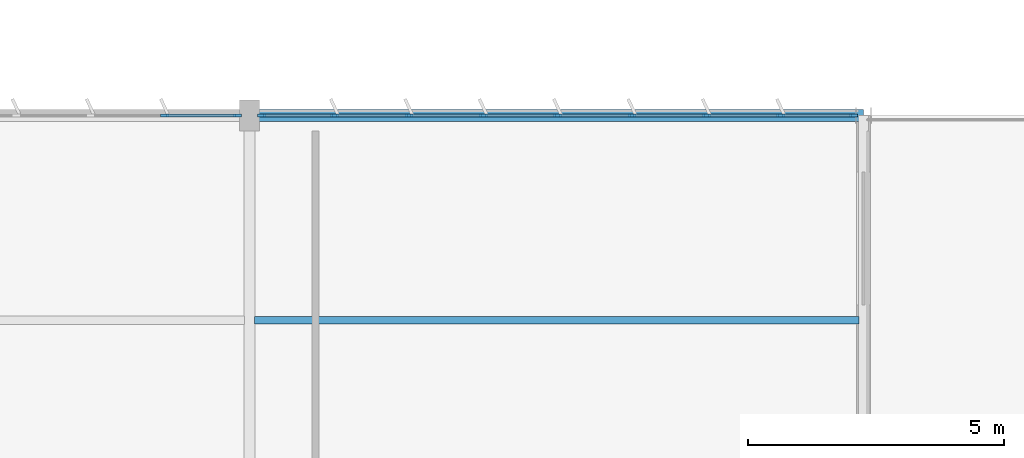
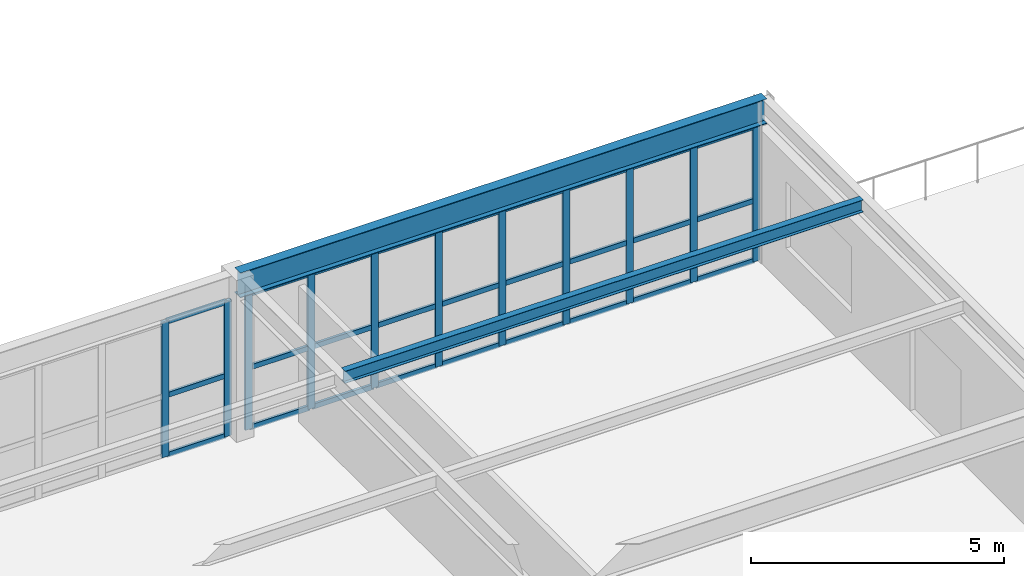
# One storey, part 60 of 128: 38 members, 2 beams, 2 elements without a shape of their own.
"""IFC4 building model written with IfcOpenShell, lengths in metres."""

from ifc_helpers import new_model, si_unit, direction, frame, origin, origin_2d, place, context, subcontext, project, spatial, rectangle, i_section, extrude, material, layer, layer_set, material_profile, profile_set, type_object, element, aggregate, save


model = new_model("IFC4")

# Units and contexts
model_context = context("Model", 3, precision=1e-05, world=origin(), true_north=direction((0.0, 1.0)))
body_context = subcontext(model_context, "Body", "Model", "MODEL_VIEW")
ifc_project = project(units=[si_unit("LENGTHUNIT", "METRE"), si_unit("AREAUNIT", "SQUARE_METRE"), si_unit("VOLUMEUNIT", "CUBIC_METRE"), si_unit("PLANEANGLEUNIT", "RADIAN"), si_unit("MASSUNIT", "GRAM", prefix="KILO")], contexts=[model_context])

# Site, building, storey
site_placement = place(None, origin())
site = spatial("IfcSite", under=ifc_project, at=site_placement, CompositionType="ELEMENT")
building_placement = place(site_placement, origin())
building = spatial("IfcBuilding", under=site, at=building_placement, Name="Tarnwether General Hospital", CompositionType="ELEMENT")
storey_placement = place(building_placement, frame((0.0, 0.0, 14.39990234375)))
storey = spatial("IfcBuildingStorey", under=building, at=storey_placement, Name="L03", CompositionType="ELEMENT", Elevation=14.39990234375)

# Beams
ifc_material_1 = material(Name="Steel Grade 350 (350 MPa)", Category="steel")
ifc_material_profile_1 = material_profile(ifc_material_1, i_section(OverallWidth=0.22802734375, OverallDepth=0.60205078125, WebThickness=0.010498046875, FlangeThickness=0.014892578125, at=origin_2d()), Name="610UB101")
ifc_profile_set_1 = profile_set([ifc_material_profile_1], Name="Steel Grade 350 (350 MPa)")
beam_type_1 = type_object("IfcBeamType", Name="BM-G05", PredefinedType="BEAM", material=ifc_profile_set_1)
beam_1_placement = place(storey_placement, frame((168.0, 45.60009765625, 3.59912109375), z_axis=(1.0, 0.0, 0.0), x_axis=(0.0, 1.0, 0.0)))
element("IfcBeam", 1, at=beam_1_placement, inside=storey, type_object=beam_type_1, Name="Primary Girder BMG-L03-16800_4560-18000_4560-1797", PredefinedType="BEAM", context=body_context, shape_type="SweptSolid", body=[
    extrude(i_section(OverallWidth=0.22802734375, OverallDepth=0.60205078125, WebThickness=0.010498046875, FlangeThickness=0.014892578125, at=origin_2d()), origin(), (0.0, 0.0, 1.0), 12.0),
])
ifc_material_2 = material(Name="Steel Grade 350 (350 MPa)", Category="steel")
ifc_material_profile_2 = material_profile(ifc_material_2, i_section(OverallWidth=0.14892578125, OverallDepth=0.298095703125, WebThickness=0.005615234375, FlangeThickness=0.008056640625, at=origin_2d()), Name="310UB32.0")
ifc_profile_set_2 = profile_set([ifc_material_profile_2], Name="Steel Grade 350 (350 MPa)")
beam_type_2 = type_object("IfcBeamType", Name="BM-J08", PredefinedType="JOIST", material=ifc_profile_set_2)
beam_2_placement = place(storey_placement, frame((168.09912109375, 41.60009765625, 3.7509765625), z_axis=(1.0, 0.0, 0.0), x_axis=(0.0, 1.0, 0.0)))
element("IfcBeam", 2, at=beam_2_placement, inside=storey, type_object=beam_type_2, Name="Composite Floor Joist BMG-L03-16810_4160-17991_4160-1847", PredefinedType="JOIST", context=body_context, shape_type="SweptSolid", body=[
    extrude(i_section(OverallWidth=0.14892578125, OverallDepth=0.298095703125, WebThickness=0.005615234375, FlangeThickness=0.008056640625, at=origin_2d()), origin(), (0.0, 0.0, 1.0), 11.811767578125),
])

# Curtain wall, members
ifc_material_3 = material(Name="Anodised aluminium", Category="aluminium")
ifc_layer = layer(ifc_material_3, 0.159912109375)
ifc_layer_set = layer_set([ifc_layer], Name="Anodised aluminium")
curtain_wall_type = type_object("IfcCurtainWallType", Name="CW-18", PredefinedType="NOTDEFINED", material=ifc_layer_set)
curtain_wall_1_placement = place(storey_placement, origin())
curtain_wall_1 = element("IfcCurtainWall", 3, at=curtain_wall_1_placement, inside=storey, type_object=curtain_wall_type, Name="Curtain Wall CWG-L03-1562_456-0477", PredefinedType="NOTDEFINED")
ifc_material_4 = material(Name="Anodised aluminium", Category="aluminium")
ifc_material_profile_3 = material_profile(ifc_material_4, rectangle(XDim=0.06005859375, YDim=0.159912109375, at=origin_2d()), Name="ALU-MUL-60x160")
ifc_profile_set_3 = profile_set([ifc_material_profile_3], Name="Anodised aluminium")
member_type_1 = type_object("IfcMemberType", Name="CW-ML1", PredefinedType="MULLION", material=ifc_profile_set_3)
member_1_placement = place(storey_placement, frame((166.34130859375, 45.60009765625, 0.0), z_axis=(0.0, 0.0, 1.0), x_axis=(0.0, 1.0, 0.0)))
member_1 = element("IfcMember", 4, at=member_1_placement, type_object=member_type_1, Name="CW-18 mullion 8", PredefinedType="MULLION", context=body_context, shape_type="SweptSolid", body=[
    extrude(rectangle(XDim=0.06005859375, YDim=0.159912109375, at=origin_2d()), origin(), (0.0, 0.0, 1.0), 3.273193359375),
])
member_2_placement = place(storey_placement, frame((167.761962890625, 45.60009765625, 0.0), z_axis=(0.0, 0.0, 1.0), x_axis=(0.0, 1.0, 0.0)))
member_2 = element("IfcMember", 5, at=member_2_placement, type_object=member_type_1, Name="CW-18 mullion 9", PredefinedType="MULLION", context=body_context, shape_type="SweptSolid", body=[
    extrude(rectangle(XDim=0.06005859375, YDim=0.159912109375, at=origin_2d()), origin(), (0.0, 0.0, 1.0), 3.273193359375),
])

curtain_wall_2_placement = place(storey_placement, origin())
curtain_wall_2 = element("IfcCurtainWall", 6, at=curtain_wall_2_placement, inside=storey, type_object=curtain_wall_type, Name="Curtain Wall CWG-L03-1682_456-0478", PredefinedType="NOTDEFINED")
member_3_placement = place(storey_placement, frame((168.238037109375, 45.60009765625, 0.0), z_axis=(0.0, 0.0, 1.0), x_axis=(0.0, 1.0, 0.0)))
member_3 = element("IfcMember", 7, at=member_3_placement, type_object=member_type_1, Name="CW-18 mullion 1", PredefinedType="MULLION", context=body_context, shape_type="SweptSolid", body=[
    extrude(rectangle(XDim=0.06005859375, YDim=0.159912109375, at=origin_2d()), origin(), (0.0, 0.0, 1.0), 3.278076171875),
])
member_4_placement = place(storey_placement, frame((169.661865234375, 45.60009765625, 0.0), z_axis=(0.0, 0.0, 1.0), x_axis=(0.0, 1.0, 0.0)))
member_4 = element("IfcMember", 8, at=member_4_placement, type_object=member_type_1, Name="CW-18 mullion 2", PredefinedType="MULLION", context=body_context, shape_type="SweptSolid", body=[
    extrude(rectangle(XDim=0.06005859375, YDim=0.159912109375, at=origin_2d()), origin(), (0.0, 0.0, 1.0), 3.278076171875),
])
member_5_placement = place(storey_placement, frame((171.115478515625, 45.60009765625, 0.0), z_axis=(0.0, 0.0, 1.0), x_axis=(0.0, 1.0, 0.0)))
member_5 = element("IfcMember", 9, at=member_5_placement, type_object=member_type_1, Name="CW-18 mullion 3", PredefinedType="MULLION", context=body_context, shape_type="SweptSolid", body=[
    extrude(rectangle(XDim=0.06005859375, YDim=0.159912109375, at=origin_2d()), origin(), (0.0, 0.0, 1.0), 3.278076171875),
])
member_6_placement = place(storey_placement, frame((172.5693359375, 45.60009765625, 0.0), z_axis=(0.0, 0.0, 1.0), x_axis=(0.0, 1.0, 0.0)))
member_6 = element("IfcMember", 10, at=member_6_placement, type_object=member_type_1, Name="CW-18 mullion 4", PredefinedType="MULLION", context=body_context, shape_type="SweptSolid", body=[
    extrude(rectangle(XDim=0.06005859375, YDim=0.159912109375, at=origin_2d()), origin(), (0.0, 0.0, 1.0), 3.278076171875),
])
member_7_placement = place(storey_placement, frame((174.02294921875, 45.60009765625, 0.0), z_axis=(0.0, 0.0, 1.0), x_axis=(0.0, 1.0, 0.0)))
member_7 = element("IfcMember", 11, at=member_7_placement, type_object=member_type_1, Name="CW-18 mullion 5", PredefinedType="MULLION", context=body_context, shape_type="SweptSolid", body=[
    extrude(rectangle(XDim=0.06005859375, YDim=0.159912109375, at=origin_2d()), origin(), (0.0, 0.0, 1.0), 3.278076171875),
])
member_8_placement = place(storey_placement, frame((175.476806640625, 45.60009765625, 0.0), z_axis=(0.0, 0.0, 1.0), x_axis=(0.0, 1.0, 0.0)))
member_8 = element("IfcMember", 12, at=member_8_placement, type_object=member_type_1, Name="CW-18 mullion 6", PredefinedType="MULLION", context=body_context, shape_type="SweptSolid", body=[
    extrude(rectangle(XDim=0.06005859375, YDim=0.159912109375, at=origin_2d()), origin(), (0.0, 0.0, 1.0), 3.278076171875),
])
member_9_placement = place(storey_placement, frame((176.930419921875, 45.60009765625, 0.0), z_axis=(0.0, 0.0, 1.0), x_axis=(0.0, 1.0, 0.0)))
member_9 = element("IfcMember", 13, at=member_9_placement, type_object=member_type_1, Name="CW-18 mullion 7", PredefinedType="MULLION", context=body_context, shape_type="SweptSolid", body=[
    extrude(rectangle(XDim=0.06005859375, YDim=0.159912109375, at=origin_2d()), origin(), (0.0, 0.0, 1.0), 3.278076171875),
])
member_10_placement = place(storey_placement, frame((178.38427734375, 45.60009765625, 0.0), z_axis=(0.0, 0.0, 1.0), x_axis=(0.0, 1.0, 0.0)))
member_10 = element("IfcMember", 14, at=member_10_placement, type_object=member_type_1, Name="CW-18 mullion 8", PredefinedType="MULLION", context=body_context, shape_type="SweptSolid", body=[
    extrude(rectangle(XDim=0.06005859375, YDim=0.159912109375, at=origin_2d()), origin(), (0.0, 0.0, 1.0), 3.278076171875),
])
member_11_placement = place(storey_placement, frame((179.80810546875, 45.60009765625, 0.0), z_axis=(0.0, 0.0, 1.0), x_axis=(0.0, 1.0, 0.0)))
member_11 = element("IfcMember", 15, at=member_11_placement, type_object=member_type_1, Name="CW-18 mullion 9", PredefinedType="MULLION", context=body_context, shape_type="SweptSolid", body=[
    extrude(rectangle(XDim=0.06005859375, YDim=0.159912109375, at=origin_2d()), origin(), (0.0, 0.0, 1.0), 3.278076171875),
])

# Member
ifc_material_5 = material(Name="Anodised aluminium", Category="aluminium")
ifc_material_profile_4 = material_profile(ifc_material_5, rectangle(XDim=0.06005859375, YDim=0.1201171875, at=origin_2d()), Name="ALU-TRN-60x120")
ifc_profile_set_4 = profile_set([ifc_material_profile_4], Name="Anodised aluminium")
member_type_2 = type_object("IfcMemberType", Name="CW-TR1", PredefinedType="USERDEFINED", material=ifc_profile_set_4)
member_12_placement = place(storey_placement, frame((166.371337890625, 45.60009765625, 0.030029296875), z_axis=(1.0, 0.0, 0.0), x_axis=(0.0, 1.0, 0.0)))
member_12 = element("IfcMember", 16, at=member_12_placement, type_object=member_type_2, Name="CW-18 transom 8.1", ObjectType="TRANSOM", PredefinedType="USERDEFINED", context=body_context, shape_type="SweptSolid", body=[
    extrude(rectangle(XDim=0.06005859375, YDim=0.1201171875, at=origin_2d()), origin(), (0.0, 0.0, 1.0), 1.360595703125),
])

member_13_placement = place(storey_placement, frame((166.371337890625, 45.60009765625, 1.472900390625), z_axis=(1.0, 0.0, 0.0), x_axis=(0.0, 1.0, 0.0)))
member_13 = element("IfcMember", 17, at=member_13_placement, type_object=member_type_2, Name="CW-18 transom 8.2", ObjectType="TRANSOM", PredefinedType="USERDEFINED", context=body_context, shape_type="SweptSolid", body=[
    extrude(rectangle(XDim=0.06005859375, YDim=0.1201171875, at=origin_2d()), origin(), (0.0, 0.0, 1.0), 1.360595703125),
])

member_14_placement = place(storey_placement, frame((166.371337890625, 45.60009765625, 3.2431640625), z_axis=(1.0, 0.0, 0.0), x_axis=(0.0, 1.0, 0.0)))
member_14 = element("IfcMember", 18, at=member_14_placement, type_object=member_type_2, Name="CW-18 transom 8.3", ObjectType="TRANSOM", PredefinedType="USERDEFINED", context=body_context, shape_type="SweptSolid", body=[
    extrude(rectangle(XDim=0.06005859375, YDim=0.1201171875, at=origin_2d()), origin(), (0.0, 0.0, 1.0), 1.360595703125),
])

aggregate(curtain_wall_1, [member_1, member_2, member_12, member_13, member_14])

member_15_placement = place(storey_placement, frame((168.26806640625, 45.60009765625, 0.030029296875), z_axis=(1.0, 0.0, 0.0), x_axis=(0.0, 1.0, 0.0)))
member_15 = element("IfcMember", 19, at=member_15_placement, type_object=member_type_2, Name="CW-18 transom 1.1", ObjectType="TRANSOM", PredefinedType="USERDEFINED", context=body_context, shape_type="SweptSolid", body=[
    extrude(rectangle(XDim=0.06005859375, YDim=0.1201171875, at=origin_2d()), origin(), (0.0, 0.0, 1.0), 1.36376953125),
])

member_16_placement = place(storey_placement, frame((168.26806640625, 45.60009765625, 1.47509765625), z_axis=(1.0, 0.0, 0.0), x_axis=(0.0, 1.0, 0.0)))
member_16 = element("IfcMember", 20, at=member_16_placement, type_object=member_type_2, Name="CW-18 transom 1.2", ObjectType="TRANSOM", PredefinedType="USERDEFINED", context=body_context, shape_type="SweptSolid", body=[
    extrude(rectangle(XDim=0.06005859375, YDim=0.1201171875, at=origin_2d()), origin(), (0.0, 0.0, 1.0), 1.36376953125),
])

member_17_placement = place(storey_placement, frame((168.26806640625, 45.60009765625, 3.248046875), z_axis=(1.0, 0.0, 0.0), x_axis=(0.0, 1.0, 0.0)))
member_17 = element("IfcMember", 21, at=member_17_placement, type_object=member_type_2, Name="CW-18 transom 1.3", ObjectType="TRANSOM", PredefinedType="USERDEFINED", context=body_context, shape_type="SweptSolid", body=[
    extrude(rectangle(XDim=0.06005859375, YDim=0.1201171875, at=origin_2d()), origin(), (0.0, 0.0, 1.0), 1.36376953125),
])

member_18_placement = place(storey_placement, frame((169.691650390625, 45.60009765625, 0.030029296875), z_axis=(1.0, 0.0, 0.0), x_axis=(0.0, 1.0, 0.0)))
member_18 = element("IfcMember", 22, at=member_18_placement, type_object=member_type_2, Name="CW-18 transom 2.1", ObjectType="TRANSOM", PredefinedType="USERDEFINED", context=body_context, shape_type="SweptSolid", body=[
    extrude(rectangle(XDim=0.06005859375, YDim=0.1201171875, at=origin_2d()), origin(), (0.0, 0.0, 1.0), 1.393798828125),
])

member_19_placement = place(storey_placement, frame((169.691650390625, 45.60009765625, 1.47509765625), z_axis=(1.0, 0.0, 0.0), x_axis=(0.0, 1.0, 0.0)))
member_19 = element("IfcMember", 23, at=member_19_placement, type_object=member_type_2, Name="CW-18 transom 2.2", ObjectType="TRANSOM", PredefinedType="USERDEFINED", context=body_context, shape_type="SweptSolid", body=[
    extrude(rectangle(XDim=0.06005859375, YDim=0.1201171875, at=origin_2d()), origin(), (0.0, 0.0, 1.0), 1.393798828125),
])

member_20_placement = place(storey_placement, frame((169.691650390625, 45.60009765625, 3.248046875), z_axis=(1.0, 0.0, 0.0), x_axis=(0.0, 1.0, 0.0)))
member_20 = element("IfcMember", 24, at=member_20_placement, type_object=member_type_2, Name="CW-18 transom 2.3", ObjectType="TRANSOM", PredefinedType="USERDEFINED", context=body_context, shape_type="SweptSolid", body=[
    extrude(rectangle(XDim=0.06005859375, YDim=0.1201171875, at=origin_2d()), origin(), (0.0, 0.0, 1.0), 1.393798828125),
])

member_21_placement = place(storey_placement, frame((171.1455078125, 45.60009765625, 0.030029296875), z_axis=(1.0, 0.0, 0.0), x_axis=(0.0, 1.0, 0.0)))
member_21 = element("IfcMember", 25, at=member_21_placement, type_object=member_type_2, Name="CW-18 transom 3.1", ObjectType="TRANSOM", PredefinedType="USERDEFINED", context=body_context, shape_type="SweptSolid", body=[
    extrude(rectangle(XDim=0.06005859375, YDim=0.1201171875, at=origin_2d()), origin(), (0.0, 0.0, 1.0), 1.393798828125),
])

member_22_placement = place(storey_placement, frame((171.1455078125, 45.60009765625, 1.47509765625), z_axis=(1.0, 0.0, 0.0), x_axis=(0.0, 1.0, 0.0)))
member_22 = element("IfcMember", 26, at=member_22_placement, type_object=member_type_2, Name="CW-18 transom 3.2", ObjectType="TRANSOM", PredefinedType="USERDEFINED", context=body_context, shape_type="SweptSolid", body=[
    extrude(rectangle(XDim=0.06005859375, YDim=0.1201171875, at=origin_2d()), origin(), (0.0, 0.0, 1.0), 1.393798828125),
])

member_23_placement = place(storey_placement, frame((171.1455078125, 45.60009765625, 3.248046875), z_axis=(1.0, 0.0, 0.0), x_axis=(0.0, 1.0, 0.0)))
member_23 = element("IfcMember", 27, at=member_23_placement, type_object=member_type_2, Name="CW-18 transom 3.3", ObjectType="TRANSOM", PredefinedType="USERDEFINED", context=body_context, shape_type="SweptSolid", body=[
    extrude(rectangle(XDim=0.06005859375, YDim=0.1201171875, at=origin_2d()), origin(), (0.0, 0.0, 1.0), 1.393798828125),
])

member_24_placement = place(storey_placement, frame((172.599365234375, 45.60009765625, 0.030029296875), z_axis=(1.0, 0.0, 0.0), x_axis=(0.0, 1.0, 0.0)))
member_24 = element("IfcMember", 28, at=member_24_placement, type_object=member_type_2, Name="CW-18 transom 4.1", ObjectType="TRANSOM", PredefinedType="USERDEFINED", context=body_context, shape_type="SweptSolid", body=[
    extrude(rectangle(XDim=0.06005859375, YDim=0.1201171875, at=origin_2d()), origin(), (0.0, 0.0, 1.0), 1.3935546875),
])

member_25_placement = place(storey_placement, frame((172.599365234375, 45.60009765625, 1.47509765625), z_axis=(1.0, 0.0, 0.0), x_axis=(0.0, 1.0, 0.0)))
member_25 = element("IfcMember", 29, at=member_25_placement, type_object=member_type_2, Name="CW-18 transom 4.2", ObjectType="TRANSOM", PredefinedType="USERDEFINED", context=body_context, shape_type="SweptSolid", body=[
    extrude(rectangle(XDim=0.06005859375, YDim=0.1201171875, at=origin_2d()), origin(), (0.0, 0.0, 1.0), 1.3935546875),
])

member_26_placement = place(storey_placement, frame((172.599365234375, 45.60009765625, 3.248046875), z_axis=(1.0, 0.0, 0.0), x_axis=(0.0, 1.0, 0.0)))
member_26 = element("IfcMember", 30, at=member_26_placement, type_object=member_type_2, Name="CW-18 transom 4.3", ObjectType="TRANSOM", PredefinedType="USERDEFINED", context=body_context, shape_type="SweptSolid", body=[
    extrude(rectangle(XDim=0.06005859375, YDim=0.1201171875, at=origin_2d()), origin(), (0.0, 0.0, 1.0), 1.3935546875),
])

member_27_placement = place(storey_placement, frame((174.052978515625, 45.60009765625, 0.030029296875), z_axis=(1.0, 0.0, 0.0), x_axis=(0.0, 1.0, 0.0)))
member_27 = element("IfcMember", 31, at=member_27_placement, type_object=member_type_2, Name="CW-18 transom 5.1", ObjectType="TRANSOM", PredefinedType="USERDEFINED", context=body_context, shape_type="SweptSolid", body=[
    extrude(rectangle(XDim=0.06005859375, YDim=0.1201171875, at=origin_2d()), origin(), (0.0, 0.0, 1.0), 1.393798828125),
])

member_28_placement = place(storey_placement, frame((174.052978515625, 45.60009765625, 1.47509765625), z_axis=(1.0, 0.0, 0.0), x_axis=(0.0, 1.0, 0.0)))
member_28 = element("IfcMember", 32, at=member_28_placement, type_object=member_type_2, Name="CW-18 transom 5.2", ObjectType="TRANSOM", PredefinedType="USERDEFINED", context=body_context, shape_type="SweptSolid", body=[
    extrude(rectangle(XDim=0.06005859375, YDim=0.1201171875, at=origin_2d()), origin(), (0.0, 0.0, 1.0), 1.393798828125),
])

member_29_placement = place(storey_placement, frame((174.052978515625, 45.60009765625, 3.248046875), z_axis=(1.0, 0.0, 0.0), x_axis=(0.0, 1.0, 0.0)))
member_29 = element("IfcMember", 33, at=member_29_placement, type_object=member_type_2, Name="CW-18 transom 5.3", ObjectType="TRANSOM", PredefinedType="USERDEFINED", context=body_context, shape_type="SweptSolid", body=[
    extrude(rectangle(XDim=0.06005859375, YDim=0.1201171875, at=origin_2d()), origin(), (0.0, 0.0, 1.0), 1.393798828125),
])

member_30_placement = place(storey_placement, frame((175.5068359375, 45.60009765625, 0.030029296875), z_axis=(1.0, 0.0, 0.0), x_axis=(0.0, 1.0, 0.0)))
member_30 = element("IfcMember", 34, at=member_30_placement, type_object=member_type_2, Name="CW-18 transom 6.1", ObjectType="TRANSOM", PredefinedType="USERDEFINED", context=body_context, shape_type="SweptSolid", body=[
    extrude(rectangle(XDim=0.06005859375, YDim=0.1201171875, at=origin_2d()), origin(), (0.0, 0.0, 1.0), 1.3935546875),
])

member_31_placement = place(storey_placement, frame((175.5068359375, 45.60009765625, 1.47509765625), z_axis=(1.0, 0.0, 0.0), x_axis=(0.0, 1.0, 0.0)))
member_31 = element("IfcMember", 35, at=member_31_placement, type_object=member_type_2, Name="CW-18 transom 6.2", ObjectType="TRANSOM", PredefinedType="USERDEFINED", context=body_context, shape_type="SweptSolid", body=[
    extrude(rectangle(XDim=0.06005859375, YDim=0.1201171875, at=origin_2d()), origin(), (0.0, 0.0, 1.0), 1.3935546875),
])

member_32_placement = place(storey_placement, frame((175.5068359375, 45.60009765625, 3.248046875), z_axis=(1.0, 0.0, 0.0), x_axis=(0.0, 1.0, 0.0)))
member_32 = element("IfcMember", 36, at=member_32_placement, type_object=member_type_2, Name="CW-18 transom 6.3", ObjectType="TRANSOM", PredefinedType="USERDEFINED", context=body_context, shape_type="SweptSolid", body=[
    extrude(rectangle(XDim=0.06005859375, YDim=0.1201171875, at=origin_2d()), origin(), (0.0, 0.0, 1.0), 1.3935546875),
])

member_33_placement = place(storey_placement, frame((176.96044921875, 45.60009765625, 0.030029296875), z_axis=(1.0, 0.0, 0.0), x_axis=(0.0, 1.0, 0.0)))
member_33 = element("IfcMember", 37, at=member_33_placement, type_object=member_type_2, Name="CW-18 transom 7.1", ObjectType="TRANSOM", PredefinedType="USERDEFINED", context=body_context, shape_type="SweptSolid", body=[
    extrude(rectangle(XDim=0.06005859375, YDim=0.1201171875, at=origin_2d()), origin(), (0.0, 0.0, 1.0), 1.393798828125),
])

member_34_placement = place(storey_placement, frame((176.96044921875, 45.60009765625, 1.47509765625), z_axis=(1.0, 0.0, 0.0), x_axis=(0.0, 1.0, 0.0)))
member_34 = element("IfcMember", 38, at=member_34_placement, type_object=member_type_2, Name="CW-18 transom 7.2", ObjectType="TRANSOM", PredefinedType="USERDEFINED", context=body_context, shape_type="SweptSolid", body=[
    extrude(rectangle(XDim=0.06005859375, YDim=0.1201171875, at=origin_2d()), origin(), (0.0, 0.0, 1.0), 1.393798828125),
])

member_35_placement = place(storey_placement, frame((176.96044921875, 45.60009765625, 3.248046875), z_axis=(1.0, 0.0, 0.0), x_axis=(0.0, 1.0, 0.0)))
member_35 = element("IfcMember", 39, at=member_35_placement, type_object=member_type_2, Name="CW-18 transom 7.3", ObjectType="TRANSOM", PredefinedType="USERDEFINED", context=body_context, shape_type="SweptSolid", body=[
    extrude(rectangle(XDim=0.06005859375, YDim=0.1201171875, at=origin_2d()), origin(), (0.0, 0.0, 1.0), 1.393798828125),
])

member_36_placement = place(storey_placement, frame((178.414306640625, 45.60009765625, 0.030029296875), z_axis=(1.0, 0.0, 0.0), x_axis=(0.0, 1.0, 0.0)))
member_36 = element("IfcMember", 40, at=member_36_placement, type_object=member_type_2, Name="CW-18 transom 8.1", ObjectType="TRANSOM", PredefinedType="USERDEFINED", context=body_context, shape_type="SweptSolid", body=[
    extrude(rectangle(XDim=0.06005859375, YDim=0.1201171875, at=origin_2d()), origin(), (0.0, 0.0, 1.0), 1.36376953125),
])

member_37_placement = place(storey_placement, frame((178.414306640625, 45.60009765625, 1.47509765625), z_axis=(1.0, 0.0, 0.0), x_axis=(0.0, 1.0, 0.0)))
member_37 = element("IfcMember", 41, at=member_37_placement, type_object=member_type_2, Name="CW-18 transom 8.2", ObjectType="TRANSOM", PredefinedType="USERDEFINED", context=body_context, shape_type="SweptSolid", body=[
    extrude(rectangle(XDim=0.06005859375, YDim=0.1201171875, at=origin_2d()), origin(), (0.0, 0.0, 1.0), 1.36376953125),
])

member_38_placement = place(storey_placement, frame((178.414306640625, 45.60009765625, 3.248046875), z_axis=(1.0, 0.0, 0.0), x_axis=(0.0, 1.0, 0.0)))
member_38 = element("IfcMember", 42, at=member_38_placement, type_object=member_type_2, Name="CW-18 transom 8.3", ObjectType="TRANSOM", PredefinedType="USERDEFINED", context=body_context, shape_type="SweptSolid", body=[
    extrude(rectangle(XDim=0.06005859375, YDim=0.1201171875, at=origin_2d()), origin(), (0.0, 0.0, 1.0), 1.36376953125),
])

aggregate(curtain_wall_2, [member_3, member_4, member_5, member_6, member_7, member_8, member_9, member_10, member_11, member_15, member_16, member_17, member_18, member_19, member_20, member_21, member_22, member_23, member_24, member_25, member_26, member_27, member_28, member_29, member_30, member_31, member_32, member_33, member_34, member_35, member_36, member_37, member_38])

save(model, "model.ifc")
